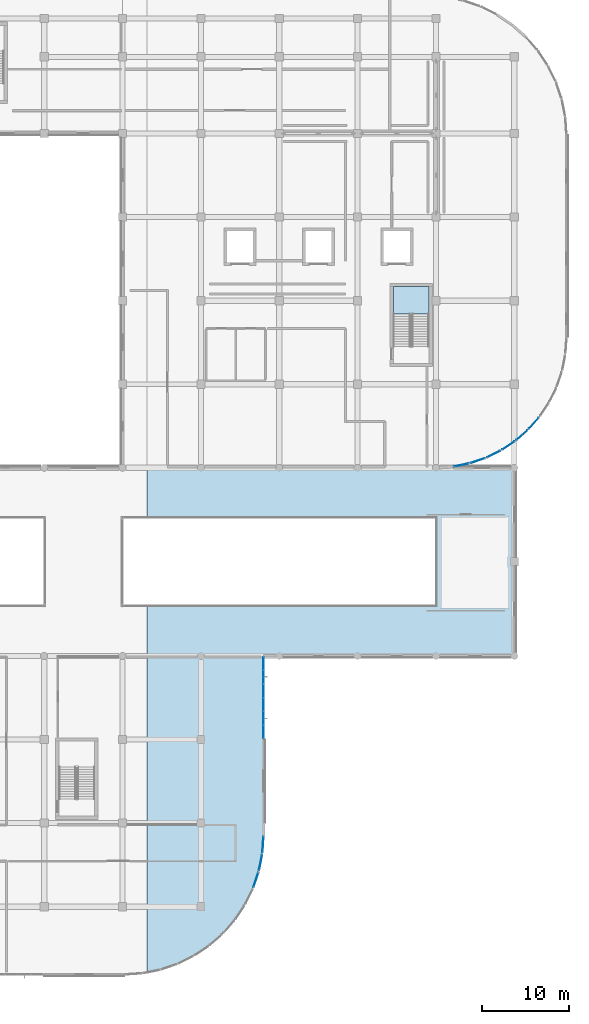
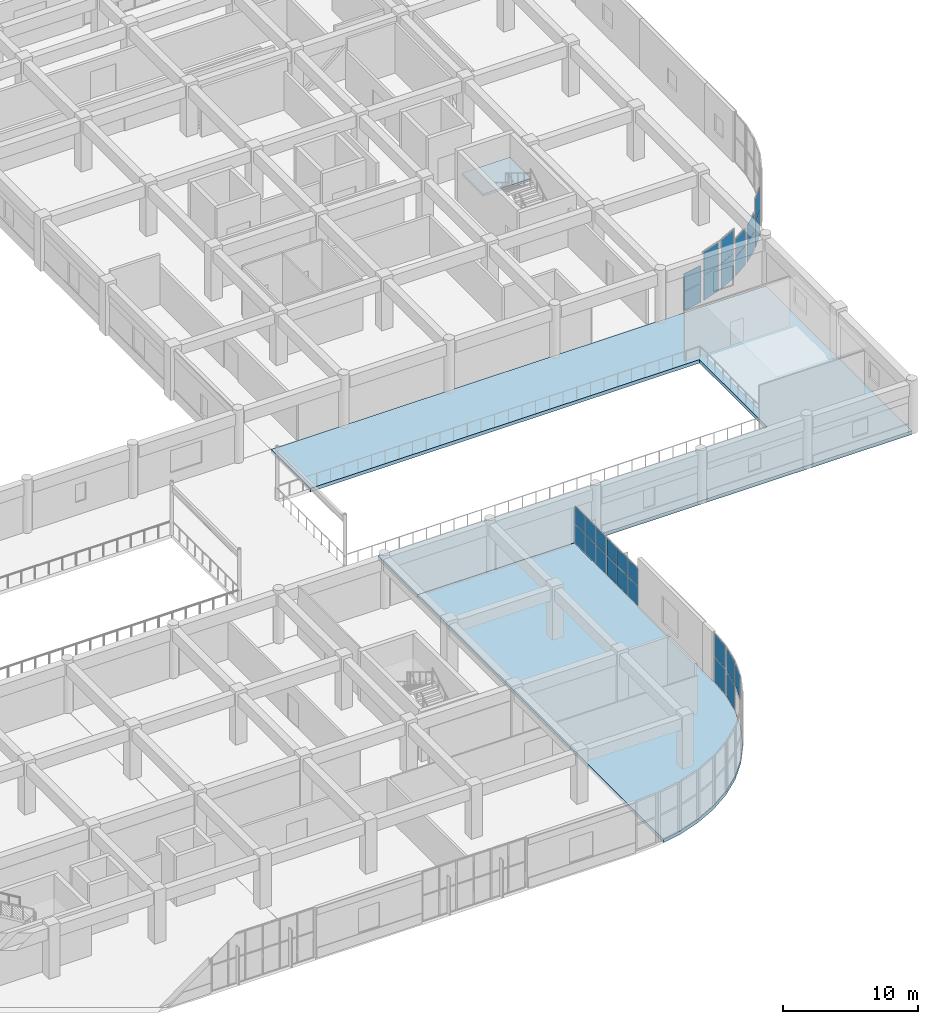
# One storey, part 48 of 86: 29 plates, 3 slabs, 11 elements without a shape of their own.
"""IFC4 building model written with IfcOpenShell, lengths in metres."""

from ifc_helpers import new_model, si_unit, direction, frame, origin, origin_2d, place, context, subcontext, project, spatial, polyline, rectangle, outline, extrude, material, layer, layer_set, type_object, element, aggregate, save


model = new_model("IFC4")

# Units and contexts
model_context = context("Model", 3, precision=1e-05, world=origin(), true_north=direction((0.0, 1.0)))
body_context = subcontext(model_context, "Body", "Model", "MODEL_VIEW")
ifc_project = project(units=[si_unit("LENGTHUNIT", "METRE"), si_unit("AREAUNIT", "SQUARE_METRE"), si_unit("VOLUMEUNIT", "CUBIC_METRE"), si_unit("PLANEANGLEUNIT", "RADIAN"), si_unit("MASSUNIT", "GRAM", prefix="KILO")], contexts=[model_context])

# Site, building, storey
site_placement = place(None, origin())
site = spatial("IfcSite", under=ifc_project, at=site_placement, CompositionType="ELEMENT")
building_placement = place(site_placement, origin())
building = spatial("IfcBuilding", under=site, at=building_placement, Name="Cendralis Terraced Arcade", CompositionType="ELEMENT")
storey_placement = place(building_placement, frame((0.0, 0.0, 5.39990234375)))
storey = spatial("IfcBuildingStorey", under=building, at=storey_placement, Name="L01", CompositionType="ELEMENT", Elevation=5.39990234375)

# Curtain wall, plates
ifc_material_1 = material(Name="Anodised aluminium EN AW-6063 T6", Category="aluminium")
ifc_layer_1 = layer(ifc_material_1, 0.1201171875, Name="CW-STORE-B")
ifc_layer_set_1 = layer_set([ifc_layer_1], Name="Anodised aluminium EN AW-6063 T6")
curtain_wall_type_1 = type_object("IfcCurtainWallType", Name="CW-STORE-B", PredefinedType="USERDEFINED", material=ifc_layer_set_1)
curtain_wall_1_placement = place(storey_placement, origin())
curtain_wall_1 = element("IfcCurtainWall", 1, at=curtain_wall_1_placement, inside=storey, type_object=curtain_wall_type_1, Name="Exterior Storefront Glazing CW-L01-0077", ObjectType="STOREFRONT GLAZING", PredefinedType="USERDEFINED")
ifc_material_2 = material(Name="Tempered solar control laminated glass", Category="glass")
ifc_layer_2 = layer(ifc_material_2, 0.02392578125, Name="CW-STORE-B-PNL")
ifc_layer_set_2 = layer_set([ifc_layer_2], Name="Tempered solar control laminated glass")
plate_type_1 = type_object("IfcPlateType", Name="CW-STORE-B-PNL", PredefinedType="CURTAIN_PANEL", material=ifc_layer_set_2)
plate_1_placement = place(storey_placement, frame((137.39990234375, 37.51123046875, 0.05517578125), z_axis=(0.0, 0.0, 1.0), x_axis=(0.0, -1.0, 0.0)))
plate_1 = element("IfcPlate", 2, at=plate_1_placement, type_object=plate_type_1, Name="CW-S2 panel 1.1", PredefinedType="CURTAIN_PANEL", context=body_context, shape_type="SweptSolid", body=[
    extrude(rectangle(XDim=1.487548828125, YDim=0.02392578125, at=origin_2d()), origin(), (0.0, 0.0, 1.0), 1.708984375),
])
plate_2_placement = place(storey_placement, frame((137.39990234375, 37.51123046875, 1.81884765625), z_axis=(0.0, 0.0, 1.0), x_axis=(0.0, -1.0, 0.0)))
plate_2 = element("IfcPlate", 3, at=plate_2_placement, type_object=plate_type_1, Name="CW-S2 panel 1.2", PredefinedType="CURTAIN_PANEL", context=body_context, shape_type="SweptSolid", body=[
    extrude(rectangle(XDim=1.487548828125, YDim=0.02392578125, at=origin_2d()), origin(), (0.0, 0.0, 1.0), 1.571044921875),
])
plate_3_placement = place(storey_placement, frame((137.39990234375, 35.955078125, 0.05517578125), z_axis=(0.0, 0.0, 1.0), x_axis=(0.0, -1.0, 0.0)))
plate_3 = element("IfcPlate", 4, at=plate_3_placement, type_object=plate_type_1, Name="CW-S2 panel 2.1", PredefinedType="CURTAIN_PANEL", context=body_context, shape_type="SweptSolid", body=[
    extrude(rectangle(XDim=1.514892578125, YDim=0.02392578125, at=origin_2d()), origin(), (0.0, 0.0, 1.0), 1.708984375),
])
plate_4_placement = place(storey_placement, frame((137.39990234375, 35.955078125, 1.81884765625), z_axis=(0.0, 0.0, 1.0), x_axis=(0.0, -1.0, 0.0)))
plate_4 = element("IfcPlate", 5, at=plate_4_placement, type_object=plate_type_1, Name="CW-S2 panel 2.2", PredefinedType="CURTAIN_PANEL", context=body_context, shape_type="SweptSolid", body=[
    extrude(rectangle(XDim=1.514892578125, YDim=0.02392578125, at=origin_2d()), origin(), (0.0, 0.0, 1.0), 1.571044921875),
])
plate_5_placement = place(storey_placement, frame((137.39990234375, 34.385009765625, 0.05517578125), z_axis=(0.0, 0.0, 1.0), x_axis=(0.0, -1.0, 0.0)))
plate_5 = element("IfcPlate", 6, at=plate_5_placement, type_object=plate_type_1, Name="CW-S2 panel 3.1", PredefinedType="CURTAIN_PANEL", context=body_context, shape_type="SweptSolid", body=[
    extrude(rectangle(XDim=1.514892578125, YDim=0.02392578125, at=origin_2d()), origin(), (0.0, 0.0, 1.0), 1.708984375),
])
plate_6_placement = place(storey_placement, frame((137.39990234375, 34.385009765625, 1.81884765625), z_axis=(0.0, 0.0, 1.0), x_axis=(0.0, -1.0, 0.0)))
plate_6 = element("IfcPlate", 7, at=plate_6_placement, type_object=plate_type_1, Name="CW-S2 panel 3.2", PredefinedType="CURTAIN_PANEL", context=body_context, shape_type="SweptSolid", body=[
    extrude(rectangle(XDim=1.514892578125, YDim=0.02392578125, at=origin_2d()), origin(), (0.0, 0.0, 1.0), 1.571044921875),
])
plate_7_placement = place(storey_placement, frame((137.39990234375, 32.81494140625, 0.05517578125), z_axis=(0.0, 0.0, 1.0), x_axis=(0.0, -1.0, 0.0)))
plate_7 = element("IfcPlate", 8, at=plate_7_placement, type_object=plate_type_1, Name="CW-S2 panel 4.1", PredefinedType="CURTAIN_PANEL", context=body_context, shape_type="SweptSolid", body=[
    extrude(rectangle(XDim=1.514892578125, YDim=0.02392578125, at=origin_2d()), origin(), (0.0, 0.0, 1.0), 1.708984375),
])
plate_8_placement = place(storey_placement, frame((137.39990234375, 32.81494140625, 1.81884765625), z_axis=(0.0, 0.0, 1.0), x_axis=(0.0, -1.0, 0.0)))
plate_8 = element("IfcPlate", 9, at=plate_8_placement, type_object=plate_type_1, Name="CW-S2 panel 4.2", PredefinedType="CURTAIN_PANEL", context=body_context, shape_type="SweptSolid", body=[
    extrude(rectangle(XDim=1.514892578125, YDim=0.02392578125, at=origin_2d()), origin(), (0.0, 0.0, 1.0), 1.571044921875),
])
plate_9_placement = place(storey_placement, frame((137.39990234375, 31.2451171875, 0.05517578125), z_axis=(0.0, 0.0, 1.0), x_axis=(0.0, -1.0, 0.0)))
plate_9 = element("IfcPlate", 10, at=plate_9_placement, type_object=plate_type_1, Name="CW-S2 panel 5.1", PredefinedType="CURTAIN_PANEL", context=body_context, shape_type="SweptSolid", body=[
    extrude(rectangle(XDim=1.514892578125, YDim=0.02392578125, at=origin_2d()), origin(), (0.0, 0.0, 1.0), 1.708984375),
])
plate_10_placement = place(storey_placement, frame((137.39990234375, 31.2451171875, 1.81884765625), z_axis=(0.0, 0.0, 1.0), x_axis=(0.0, -1.0, 0.0)))
plate_10 = element("IfcPlate", 11, at=plate_10_placement, type_object=plate_type_1, Name="CW-S2 panel 5.2", PredefinedType="CURTAIN_PANEL", context=body_context, shape_type="SweptSolid", body=[
    extrude(rectangle(XDim=1.514892578125, YDim=0.02392578125, at=origin_2d()), origin(), (0.0, 0.0, 1.0), 1.571044921875),
])
plate_11_placement = place(storey_placement, frame((137.39990234375, 29.688720703125, 0.05517578125), z_axis=(0.0, 0.0, 1.0), x_axis=(0.0, -1.0, 0.0)))
plate_11 = element("IfcPlate", 12, at=plate_11_placement, type_object=plate_type_1, Name="CW-S2 panel 6.1", PredefinedType="CURTAIN_PANEL", context=body_context, shape_type="SweptSolid", body=[
    extrude(rectangle(XDim=1.487548828125, YDim=0.02392578125, at=origin_2d()), origin(), (0.0, 0.0, 1.0), 1.708984375),
])
plate_12_placement = place(storey_placement, frame((137.39990234375, 29.688720703125, 1.81884765625), z_axis=(0.0, 0.0, 1.0), x_axis=(0.0, -1.0, 0.0)))
plate_12 = element("IfcPlate", 13, at=plate_12_placement, type_object=plate_type_1, Name="CW-S2 panel 6.2", PredefinedType="CURTAIN_PANEL", context=body_context, shape_type="SweptSolid", body=[
    extrude(rectangle(XDim=1.487548828125, YDim=0.02392578125, at=origin_2d()), origin(), (0.0, 0.0, 1.0), 1.571044921875),
])
aggregate(curtain_wall_1, [plate_1, plate_2, plate_3, plate_4, plate_5, plate_6, plate_7, plate_8, plate_9, plate_10, plate_11, plate_12])

ifc_layer_3 = layer(ifc_material_1, 0.179931640625, Name="CW-UNIT-A")
ifc_layer_set_3 = layer_set([ifc_layer_3], Name="Anodised aluminium EN AW-6063 T6")
curtain_wall_type_2 = type_object("IfcCurtainWallType", Name="CW-UNIT-A", PredefinedType="USERDEFINED", material=ifc_layer_set_3)
curtain_wall_2_placement = place(storey_placement, origin())
curtain_wall_2 = element("IfcCurtainWall", 14, at=curtain_wall_2_placement, inside=storey, type_object=curtain_wall_type_2, Name="Exterior Unitised Facade CW-L01-0071", ObjectType="UNITISED FACADE", PredefinedType="USERDEFINED")
ifc_layer_4 = layer(ifc_material_2, 0.035888671875, Name="CW-UNIT-A-PNL")
ifc_layer_set_4 = layer_set([ifc_layer_4], Name="Tempered solar control laminated glass")
plate_type_2 = type_object("IfcPlateType", Name="CW-UNIT-A-PNL", PredefinedType="CURTAIN_PANEL", material=ifc_layer_set_4)
plate_13_placement = place(storey_placement, frame((168.453369140625, 65.131103515625, 0.065185546875), z_axis=(0.0, 0.0, 1.0), x_axis=(-0.659386076266, -0.751804497477, 0.0)))
plate_13 = element("IfcPlate", 15, at=plate_13_placement, type_object=plate_type_2, Name="CW-U1 panel 1.1", PredefinedType="CURTAIN_PANEL", context=body_context, shape_type="SweptSolid", body=[
    extrude(rectangle(XDim=1.652099609375, YDim=0.035888671875, at=origin_2d()), origin(), (0.0, 0.0, 1.0), 2.2451171875),
])
plate_14_placement = place(storey_placement, frame((168.453369140625, 65.131103515625, 2.375244140625), z_axis=(0.0, 0.0, 1.0), x_axis=(-0.659386076266, -0.751804497477, 0.0)))
plate_14 = element("IfcPlate", 16, at=plate_14_placement, type_object=plate_type_2, Name="CW-U1 panel 1.2", PredefinedType="CURTAIN_PANEL", context=body_context, shape_type="SweptSolid", body=[
    extrude(rectangle(XDim=1.652099609375, YDim=0.035888671875, at=origin_2d()), origin(), (0.0, 0.0, 1.0), 2.06494140625),
])
aggregate(curtain_wall_2, [plate_13, plate_14])

curtain_wall_3_placement = place(storey_placement, origin())
curtain_wall_3 = element("IfcCurtainWall", 17, at=curtain_wall_3_placement, inside=storey, type_object=curtain_wall_type_2, Name="Exterior Unitised Facade CW-L01-0072", ObjectType="UNITISED FACADE", PredefinedType="USERDEFINED")
plate_15_placement = place(storey_placement, frame((167.069091796875, 63.74658203125, 0.065185546875), z_axis=(0.0, 0.0, 1.0), x_axis=(-0.751804497477, -0.659386076266, 0.0)))
plate_15 = element("IfcPlate", 18, at=plate_15_placement, type_object=plate_type_2, Name="CW-U1 panel 1.1", PredefinedType="CURTAIN_PANEL", context=body_context, shape_type="SweptSolid", body=[
    extrude(rectangle(XDim=1.652099609375, YDim=0.035888671875, at=origin_2d()), origin(), (0.0, 0.0, 1.0), 1.69384765625),
])
plate_16_placement = place(storey_placement, frame((167.069091796875, 63.74658203125, 1.823974609375), z_axis=(0.0, 0.0, 1.0), x_axis=(-0.751804497477, -0.659386076266, 0.0)))
plate_16 = element("IfcPlate", 19, at=plate_16_placement, type_object=plate_type_2, Name="CW-U1 panel 1.2", PredefinedType="CURTAIN_PANEL", context=body_context, shape_type="SweptSolid", body=[
    extrude(rectangle(XDim=1.652099609375, YDim=0.035888671875, at=origin_2d()), origin(), (0.0, 0.0, 1.0), 1.55615234375),
])
aggregate(curtain_wall_3, [plate_15, plate_16])

curtain_wall_4_placement = place(storey_placement, origin())
curtain_wall_4 = element("IfcCurtainWall", 20, at=curtain_wall_4_placement, inside=storey, type_object=curtain_wall_type_2, Name="Exterior Unitised Facade CW-L01-0073", ObjectType="UNITISED FACADE", PredefinedType="USERDEFINED")
plate_17_placement = place(storey_placement, frame((165.515625, 62.5546875, 0.065185546875), z_axis=(0.0, 0.0, 1.0), x_axis=(-0.831471454125, -0.555567476528, 0.0)))
plate_17 = element("IfcPlate", 21, at=plate_17_placement, type_object=plate_type_2, Name="CW-U1 panel 1.1", PredefinedType="CURTAIN_PANEL", context=body_context, shape_type="SweptSolid", body=[
    extrude(rectangle(XDim=1.652099609375, YDim=0.035888671875, at=origin_2d()), origin(), (0.0, 0.0, 1.0), 1.69384765625),
])
plate_18_placement = place(storey_placement, frame((165.515625, 62.5546875, 1.823974609375), z_axis=(0.0, 0.0, 1.0), x_axis=(-0.831471454125, -0.555567476528, 0.0)))
plate_18 = element("IfcPlate", 22, at=plate_18_placement, type_object=plate_type_2, Name="CW-U1 panel 1.2", PredefinedType="CURTAIN_PANEL", context=body_context, shape_type="SweptSolid", body=[
    extrude(rectangle(XDim=1.652099609375, YDim=0.035888671875, at=origin_2d()), origin(), (0.0, 0.0, 1.0), 1.55615234375),
])
aggregate(curtain_wall_4, [plate_17, plate_18])

curtain_wall_5_placement = place(storey_placement, origin())
curtain_wall_5 = element("IfcCurtainWall", 23, at=curtain_wall_5_placement, inside=storey, type_object=curtain_wall_type_2, Name="Exterior Unitised Facade CW-L01-0074", ObjectType="UNITISED FACADE", PredefinedType="USERDEFINED")
plate_19_placement = place(storey_placement, frame((163.820068359375, 61.57568359375, 0.065185546875), z_axis=(0.0, 0.0, 1.0), x_axis=(-0.896871480419, -0.442291247495, 0.0)))
plate_19 = element("IfcPlate", 24, at=plate_19_placement, type_object=plate_type_2, Name="CW-U1 panel 1.1", PredefinedType="CURTAIN_PANEL", context=body_context, shape_type="SweptSolid", body=[
    extrude(rectangle(XDim=1.652099609375, YDim=0.035888671875, at=origin_2d()), origin(), (0.0, 0.0, 1.0), 2.2451171875),
])
plate_20_placement = place(storey_placement, frame((163.820068359375, 61.57568359375, 2.375244140625), z_axis=(0.0, 0.0, 1.0), x_axis=(-0.896871480419, -0.442291247495, 0.0)))
plate_20 = element("IfcPlate", 25, at=plate_20_placement, type_object=plate_type_2, Name="CW-U1 panel 1.2", PredefinedType="CURTAIN_PANEL", context=body_context, shape_type="SweptSolid", body=[
    extrude(rectangle(XDim=1.652099609375, YDim=0.035888671875, at=origin_2d()), origin(), (0.0, 0.0, 1.0), 2.06494140625),
])
aggregate(curtain_wall_5, [plate_19, plate_20])

curtain_wall_6_placement = place(storey_placement, origin())
curtain_wall_6 = element("IfcCurtainWall", 26, at=curtain_wall_6_placement, inside=storey, type_object=curtain_wall_type_2, Name="Exterior Unitised Facade CW-L01-0075", ObjectType="UNITISED FACADE", PredefinedType="USERDEFINED")
plate_21_placement = place(storey_placement, frame((162.01123046875, 60.826416015625, 0.065185546875), z_axis=(0.0, 0.0, 1.0), x_axis=(-0.946923811316, -0.321458077458, 0.0)))
plate_21 = element("IfcPlate", 27, at=plate_21_placement, type_object=plate_type_2, Name="CW-U1 panel 1.1", PredefinedType="CURTAIN_PANEL", context=body_context, shape_type="SweptSolid", body=[
    extrude(rectangle(XDim=1.652099609375, YDim=0.035888671875, at=origin_2d()), origin(), (0.0, 0.0, 1.0), 2.2451171875),
])
plate_22_placement = place(storey_placement, frame((162.01123046875, 60.826416015625, 2.375244140625), z_axis=(0.0, 0.0, 1.0), x_axis=(-0.946923811316, -0.321458077458, 0.0)))
plate_22 = element("IfcPlate", 28, at=plate_22_placement, type_object=plate_type_2, Name="CW-U1 panel 1.2", PredefinedType="CURTAIN_PANEL", context=body_context, shape_type="SweptSolid", body=[
    extrude(rectangle(XDim=1.652099609375, YDim=0.035888671875, at=origin_2d()), origin(), (0.0, 0.0, 1.0), 2.06494140625),
])
aggregate(curtain_wall_6, [plate_21, plate_22])

curtain_wall_7_placement = place(storey_placement, origin())
curtain_wall_7 = element("IfcCurtainWall", 29, at=curtain_wall_7_placement, inside=storey, type_object=curtain_wall_type_2, Name="Exterior Unitised Facade CW-L01-0076", ObjectType="UNITISED FACADE", PredefinedType="USERDEFINED")
plate_23_placement = place(storey_placement, frame((160.1201171875, 60.319580078125, 0.065185546875), z_axis=(0.0, 0.0, 1.0), x_axis=(-0.980791618721, -0.195058454434, 0.0)))
plate_23 = element("IfcPlate", 30, at=plate_23_placement, type_object=plate_type_2, Name="CW-U1 panel 1.1", PredefinedType="CURTAIN_PANEL", context=body_context, shape_type="SweptSolid", body=[
    extrude(rectangle(XDim=1.652099609375, YDim=0.035888671875, at=origin_2d()), origin(), (0.0, 0.0, 1.0), 1.69384765625),
])
plate_24_placement = place(storey_placement, frame((160.1201171875, 60.319580078125, 1.823974609375), z_axis=(0.0, 0.0, 1.0), x_axis=(-0.980791618721, -0.195058454434, 0.0)))
plate_24 = element("IfcPlate", 31, at=plate_24_placement, type_object=plate_type_2, Name="CW-U1 panel 1.2", PredefinedType="CURTAIN_PANEL", context=body_context, shape_type="SweptSolid", body=[
    extrude(rectangle(XDim=1.652099609375, YDim=0.035888671875, at=origin_2d()), origin(), (0.0, 0.0, 1.0), 1.55615234375),
])
aggregate(curtain_wall_7, [plate_23, plate_24])

curtain_wall_8_placement = place(storey_placement, origin())
curtain_wall_8 = element("IfcCurtainWall", 32, at=curtain_wall_8_placement, inside=storey, type_object=curtain_wall_type_2, Name="Exterior Unitised Facade CW-L01-0078", ObjectType="UNITISED FACADE", PredefinedType="USERDEFINED")
plate_25_placement = place(storey_placement, frame((137.33154296875, 16.755859375, 0.065185546875), z_axis=(0.0, 0.0, 1.0), x_axis=(-0.065398256097, -0.997859242629, 0.0)))
plate_25 = element("IfcPlate", 33, at=plate_25_placement, type_object=plate_type_2, Name="CW-U1 panel 1.1", PredefinedType="CURTAIN_PANEL", context=body_context, shape_type="SweptSolid", body=[
    extrude(rectangle(XDim=1.782958984375, YDim=0.035888671875, at=origin_2d()), origin(), (0.0, 0.0, 1.0), 2.2451171875),
])
plate_26_placement = place(storey_placement, frame((137.33154296875, 16.755859375, 2.375244140625), z_axis=(0.0, 0.0, 1.0), x_axis=(-0.065398256097, -0.997859242629, 0.0)))
plate_26 = element("IfcPlate", 34, at=plate_26_placement, type_object=plate_type_2, Name="CW-U1 panel 1.2", PredefinedType="CURTAIN_PANEL", context=body_context, shape_type="SweptSolid", body=[
    extrude(rectangle(XDim=1.782958984375, YDim=0.035888671875, at=origin_2d()), origin(), (0.0, 0.0, 1.0), 2.06494140625),
])
aggregate(curtain_wall_8, [plate_25, plate_26])

curtain_wall_9_placement = place(storey_placement, origin())
curtain_wall_9 = element("IfcCurtainWall", 35, at=curtain_wall_9_placement, inside=storey, type_object=curtain_wall_type_2, Name="Exterior Unitised Facade CW-L01-0079", ObjectType="UNITISED FACADE", PredefinedType="USERDEFINED")
plate_27_placement = place(storey_placement, frame((137.058837890625, 14.685302734375, 0.065185546875), z_axis=(0.0, 0.0, 1.0), x_axis=(-0.195050346244, -0.980793231232, 0.0)))
plate_27 = element("IfcPlate", 36, at=plate_27_placement, type_object=plate_type_2, Name="CW-U1 panel 1.1", PredefinedType="CURTAIN_PANEL", context=body_context, shape_type="SweptSolid", body=[
    extrude(rectangle(XDim=1.782958984375, YDim=0.035888671875, at=origin_2d()), origin(), (0.0, 0.0, 1.0), 2.2451171875),
])
plate_28_placement = place(storey_placement, frame((137.058837890625, 14.685302734375, 2.375244140625), z_axis=(0.0, 0.0, 1.0), x_axis=(-0.195050346244, -0.980793231232, 0.0)))
plate_28 = element("IfcPlate", 37, at=plate_28_placement, type_object=plate_type_2, Name="CW-U1 panel 1.2", PredefinedType="CURTAIN_PANEL", context=body_context, shape_type="SweptSolid", body=[
    extrude(rectangle(XDim=1.782958984375, YDim=0.035888671875, at=origin_2d()), origin(), (0.0, 0.0, 1.0), 2.06494140625),
])
aggregate(curtain_wall_9, [plate_27, plate_28])

# Curtain wall, plate
curtain_wall_10_placement = place(storey_placement, origin())
curtain_wall_10 = element("IfcCurtainWall", 38, at=curtain_wall_10_placement, inside=storey, type_object=curtain_wall_type_2, Name="Exterior Unitised Facade CW-L01-0080", ObjectType="UNITISED FACADE", PredefinedType="USERDEFINED")
plate_29_placement = place(storey_placement, frame((136.5185546875, 12.66796875, 2.375244140625), z_axis=(0.0, 0.0, 1.0), x_axis=(-0.321445350645, -0.94692813167, 0.0)))
plate_29 = element("IfcPlate", 39, at=plate_29_placement, type_object=plate_type_2, Name="CW-U1 panel 1.2", PredefinedType="CURTAIN_PANEL", context=body_context, shape_type="SweptSolid", body=[
    extrude(rectangle(XDim=1.782958984375, YDim=0.035888671875, at=origin_2d()), origin(), (0.0, 0.0, 1.0), 2.06494140625),
])
aggregate(curtain_wall_10, [plate_29])

# Slabs
ifc_material_3 = material(Name="Concrete f'c 35 MPa", Category="concrete")
ifc_layer_5 = layer(ifc_material_3, 0.31005859375, Name="SLB-L01-310")
ifc_layer_set_5 = layer_set([ifc_layer_5], Name="Concrete f'c 35 MPa")
slab_type_1 = type_object("IfcSlabType", Name="SLB-L01-310", PredefinedType="FLOOR", material=ifc_layer_set_5)
slab_1_placement = place(storey_placement, frame((0.0, 0.0, -0.309814453125)))
element("IfcSlab", 40, at=slab_1_placement, inside=storey, type_object=slab_type_1, Name="Reinforced Concrete Floor Slab SLB-L01-V2-E1-1", PredefinedType="FLOOR", context=body_context, shape_type="SweptSolid", body=[
    extrude(outline(polyline([(124.02001953125, 38.39990234375), (124.02001953125, 44.199951171875), (157.199951171875, 44.199951171875), (157.199951171875, 54.199951171875), (124.02001953125, 54.199951171875), (124.02001953125, 60.0), (166.199951171875, 60.0), (166.199951171875, 38.39990234375), (124.02001953125, 38.39990234375)])), origin(), (0.0, 0.0, 1.0), 0.309814453125),
])
slab_2_placement = place(storey_placement, frame((0.0, 0.0, -0.309814453125)))
element("IfcSlab", 41, at=slab_2_placement, inside=storey, type_object=slab_type_1, Name="Reinforced Concrete Floor Slab SLB-L01-V4-E1-1", PredefinedType="FLOOR", context=body_context, shape_type="SweptSolid", body=[
    extrude(outline(polyline([(137.26318359375, 15.711669921875), (136.854736328125, 13.658935546875), (136.18212890625, 11.677001953125), (135.25634765625, 9.800048828125), (134.09375, 8.059814453125), (132.713623046875, 6.486328125), (131.14013671875, 5.106201171875), (129.39990234375, 3.943603515625), (127.52294921875, 3.017822265625), (125.541015625, 2.34521484375), (124.02001953125, 2.04248046875), (124.02001953125, 38.3798828125), (137.39990234375, 38.3798828125), (137.39990234375, 17.800048828125), (137.26318359375, 15.711669921875)])), origin(), (0.0, 0.0, 1.0), 0.309814453125),
])

# Stair, slab
stair_type = type_object("IfcStairType", Name="STR-W195-H480", PredefinedType="HALF_TURN_STAIR", material=ifc_material_3)
stair_placement = place(storey_placement, origin())
stair = element("IfcStair", 42, at=stair_placement, inside=storey, type_object=stair_type, Name="L01 Protected Exit Stair ST-06", PredefinedType="HALF_TURN_STAIR")
ifc_layer_6 = layer(ifc_material_3, 0.199951171875, Name="SLB-STAIR-LND-200")
ifc_layer_set_6 = layer_set([ifc_layer_6], Name="Concrete f'c 35 MPa")
slab_type_2 = type_object("IfcSlabType", Name="SLB-STAIR-LND-200", PredefinedType="LANDING", material=ifc_layer_set_6)
slab_3_placement = place(storey_placement, frame((0.0, 0.0, 2.2001953125)))
slab_3 = element("IfcSlab", 43, at=slab_3_placement, type_object=slab_type_2, Name="ST-06 landing 1", PredefinedType="LANDING", context=body_context, shape_type="SweptSolid", body=[
    extrude(outline(polyline([(156.39990234375, 77.655029296875), (156.39990234375, 80.800048828125), (152.300048828125, 80.800048828125), (152.300048828125, 77.655029296875), (156.39990234375, 77.655029296875)])), origin(), (0.0, 0.0, 1.0), 0.199951171875),
])
aggregate(stair, [slab_3])

save(model, "model.ifc")
